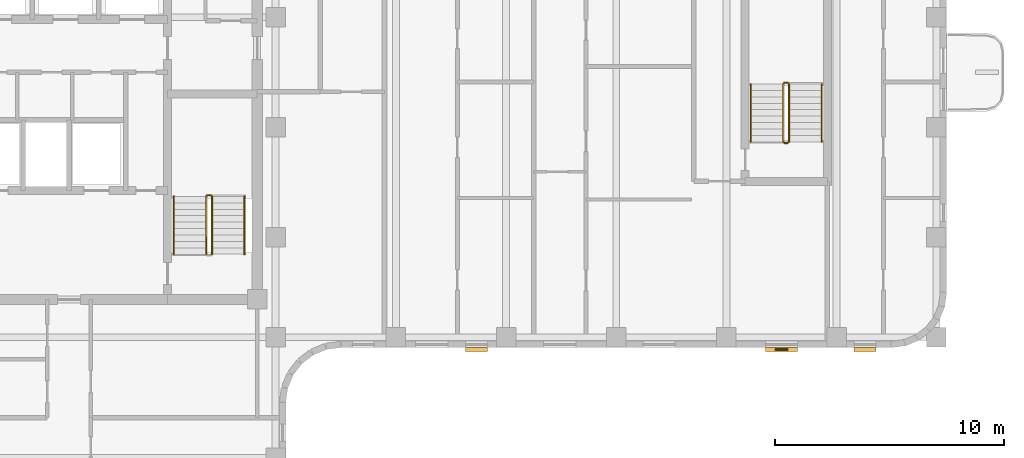
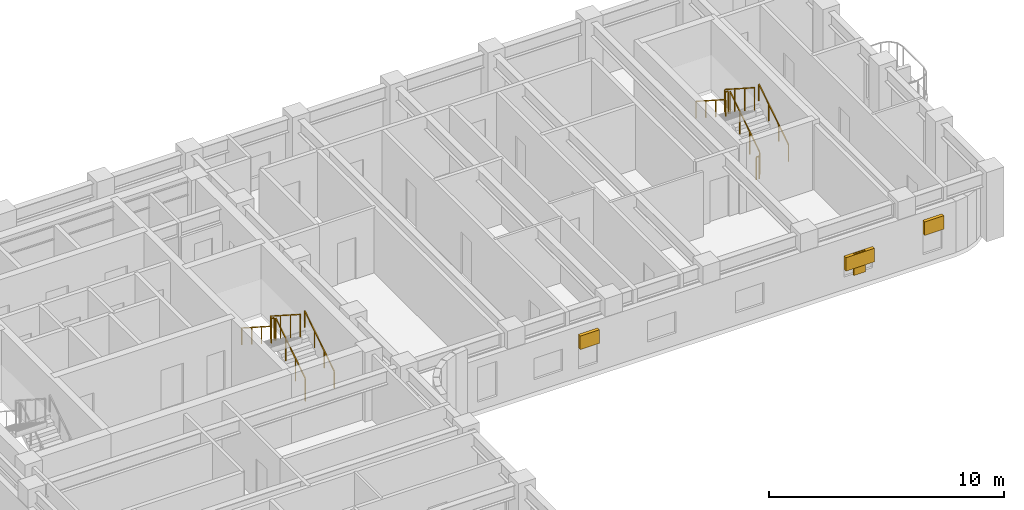
# One storey, part 9 of 10: 11 railings, 4 shading devices.
"""IFC4 building model written with IfcOpenShell, lengths in metres."""

import ifcopenshell
import ifcopenshell.guid

model = None  # the IFC model being written
_history = None  # IfcOwnerHistory: only IFC2X3 demands one
_inside = {}  # id of a spatial element -> (the spatial element, [elements in it])
_under = {}  # id of a project, library or spatial element -> (it, [spatial elements below it])
_declared = {}  # id of a project -> (the project, [libraries it declares])
_typed = {}  # id of a type object -> (the type object, [elements of that type])
_made_of = {}  # id of a material, layer set ... -> (it, [elements and type objects made of it])


def new_model(schema):
    """Start an empty IFC model of exactly this schema.

    Asked for "IFC4X3", IfcOpenShell would pick the latest addendum, in which some entities
    have other attributes; the version numbers below select the first issue.
    IFC2X3 requires an IfcOwnerHistory on every rooted entity: one is made here for all.
    """
    global model, _history
    if schema == "IFC4X3":
        model = ifcopenshell.file(schema_version=(4, 3, 0, 0))
    else:
        model = ifcopenshell.file(schema=schema)
    _inside.clear()
    _under.clear()
    _declared.clear()
    _typed.clear()
    _made_of.clear()
    _history = None
    if model.schema == "IFC2X3":
        org = make("IfcOrganization", Name="unknown")
        user = make(
            "IfcPersonAndOrganization",
            ThePerson=make("IfcPerson", FamilyName="unknown"),
            TheOrganization=org,
        )
        app = make(
            "IfcApplication",
            ApplicationDeveloper=org,
            Version="unknown",
            ApplicationFullName="unknown",
            ApplicationIdentifier="unknown",
        )
        _history = make(
            "IfcOwnerHistory",
            OwningUser=user,
            OwningApplication=app,
            ChangeAction="ADDED",
            CreationDate=0,
        )
    return model


def make(cls, **values):
    """One entity of the class cls with the attributes given. An attribute that is None is left unset."""
    return model.create_entity(
        cls, **{name: value for name, value in values.items() if value is not None}
    )


def rooted(cls, **values):
    """An entity with a GlobalId (a new one), such as an element, a storey or a relation."""
    return make(cls, GlobalId=ifcopenshell.guid.new(), OwnerHistory=_history, **values)


def si_unit(unit_type, name, prefix=None):
    """IfcSIUnit, for example si_unit("LENGTHUNIT", "METRE", prefix="MILLI")."""
    return make("IfcSIUnit", UnitType=unit_type, Prefix=prefix, Name=name)


def assignment(units):
    """IfcUnitAssignment: the units of a project."""
    return None if units is None else make("IfcUnitAssignment", Units=units)


def point(xyz):
    """IfcCartesianPoint."""
    return None if xyz is None else make("IfcCartesianPoint", Coordinates=xyz)


def direction(xyz):
    """IfcDirection."""
    return None if xyz is None else make("IfcDirection", DirectionRatios=xyz)


def frame(location, z_axis=None, x_axis=None):
    """IfcAxis2Placement3D, a coordinate frame: its origin and axes. An axis left out is left unset."""
    return make(
        "IfcAxis2Placement3D",
        Location=point(location),
        Axis=direction(z_axis),
        RefDirection=direction(x_axis),
    )


def frame_2d(location, x_axis=None):
    """IfcAxis2Placement2D, a coordinate frame in the plane: its origin and x axis."""
    return make(
        "IfcAxis2Placement2D", Location=point(location), RefDirection=direction(x_axis)
    )


def origin():
    """The frame at (0, 0, 0) with its axes left unset."""
    return frame((0.0, 0.0, 0.0))


def origin_2d():
    """The frame at (0, 0) in the plane with its x axis left unset."""
    return frame_2d((0.0, 0.0))


def place(relative_to, where):
    """IfcLocalPlacement: puts the frame where relative to a parent placement (None: the world)."""
    return make(
        "IfcLocalPlacement", PlacementRelTo=relative_to, RelativePlacement=where
    )


def context(
    kind, dimensions, precision=None, world=None, true_north=None, identifier=None
):
    """IfcGeometricRepresentationContext, for example the 3D "Model" context."""
    return make(
        "IfcGeometricRepresentationContext",
        ContextIdentifier=identifier,
        ContextType=kind,
        CoordinateSpaceDimension=dimensions,
        Precision=precision,
        WorldCoordinateSystem=world,
        TrueNorth=true_north,
    )


def subcontext(parent, identifier, kind, view, scale=None):
    """IfcGeometricRepresentationSubContext, for example "Body" below "Model"."""
    return make(
        "IfcGeometricRepresentationSubContext",
        ContextIdentifier=identifier,
        ContextType=kind,
        ParentContext=parent,
        TargetScale=scale,
        TargetView=view,
    )


def project(units=None, contexts=None):
    """IfcProject with its units and contexts."""
    return rooted(
        "IfcProject",
        Name="project",
        RepresentationContexts=contexts,
        UnitsInContext=assignment(units),
    )


def spatial(cls, under=None, at=None, **own):
    """A site, building, storey or space (cls), placed at a placement, below another one or the project."""
    s = rooted(cls, ObjectPlacement=at, **own)
    if under is not None:
        _under.setdefault(under.id(), (under, []))[1].append(s)
    return s


def profile(cls, at=None, kind="AREA", **sizes):
    """A parametric profile (cls). Its sizes go by their IFC names, for example OverallWidth=200.0."""
    return make(cls, ProfileType=kind, Position=at, **sizes)


def rectangle(**sizes):
    """IfcRectangleProfileDef."""
    return profile("IfcRectangleProfileDef", **sizes)


def extrude(swept, where, along, depth):
    """IfcExtrudedAreaSolid: the profile swept, set in the frame where, extruded along a direction by depth."""
    return make(
        "IfcExtrudedAreaSolid",
        SweptArea=swept,
        Position=where,
        ExtrudedDirection=direction(along),
        Depth=depth,
    )


def shape(context_of_items, identifier, shape_type, items):
    """IfcShapeRepresentation: the items that make up one representation, for example the "Body"."""
    return make(
        "IfcShapeRepresentation",
        ContextOfItems=context_of_items,
        RepresentationIdentifier=identifier,
        RepresentationType=shape_type,
        Items=items,
    )


def material(Name=None, Category=None):
    """IfcMaterial."""
    return make("IfcMaterial", Name=Name, Category=Category)


def made_of(thing, what):
    """Note that an element or type object is made of a material, layer set ...; save() writes the relation."""
    if what is not None:
        _made_of.setdefault(what.id(), (what, []))[1].append(thing)
    return thing


def type_object(cls, material=None, **own):
    """A type object (cls), such as IfcWallType, which elements share."""
    return made_of(rooted(cls, **own), material)


def element(
    cls,
    number,
    at=None,
    inside=None,
    cuts=None,
    type_object=None,
    material=None,
    context=None,
    identifier="Body",
    shape_type=None,
    held_by="IfcProductDefinitionShape",
    body=None,
    shapes=None,
    **own,
):
    """One element of the class cls, such as IfcWall. Its Tag is "e" and its number.

    at: its placement. inside: the storey or other place that contains it. cuts: it is an
    opening in that element (IfcRelVoidsElement). A single representation is given by context,
    identifier, shape_type and body (its items); several are given by shapes. held_by: the class
    of the entity that holds the representations. save() writes the other relations.
    """
    e = rooted(cls, Tag="e%d" % number, ObjectPlacement=at, **own)
    if body is not None:
        shapes = [shape(context, identifier, shape_type, body)]
    if shapes is not None:
        e.Representation = make(held_by, Representations=shapes)
    if inside is not None:
        _inside.setdefault(inside.id(), (inside, []))[1].append(e)
    if cuts is not None:
        rooted(
            "IfcRelVoidsElement", RelatingBuildingElement=cuts, RelatedOpeningElement=e
        )
    if type_object is not None:
        _typed.setdefault(type_object.id(), (type_object, []))[1].append(e)
    return made_of(e, material)


def aggregate(whole, parts):
    """IfcRelAggregates: a whole, such as a stair, and the parts it consists of."""
    return rooted("IfcRelAggregates", RelatingObject=whole, RelatedObjects=parts)


def save(model, path):
    """Write the relations noted so far, then the file.

    IfcRelAggregates (storeys below a building ...), IfcRelContainedInSpatialStructure (elements
    in a storey), IfcRelDefinesByType, IfcRelAssociatesMaterial and IfcRelDeclares: one each for
    every whole, place, type object, material and project.
    """
    for whole, parts in _under.values():
        aggregate(whole, parts)
    for where, things in _inside.values():
        rooted(
            "IfcRelContainedInSpatialStructure",
            RelatedElements=things,
            RelatingStructure=where,
        )
    for kind, things in _typed.values():
        rooted("IfcRelDefinesByType", RelatedObjects=things, RelatingType=kind)
    for what, things in _made_of.values():
        rooted("IfcRelAssociatesMaterial", RelatedObjects=things, RelatingMaterial=what)
    for by, libraries in _declared.values():
        rooted("IfcRelDeclares", RelatingContext=by, RelatedDefinitions=libraries)
    model.write(path)


model = new_model("IFC4")

# Units and contexts
model_context = context("Model", 3, precision=1e-05, world=origin(), true_north=direction((0.0, 1.0)))
body_context = subcontext(model_context, "Body", "Model", "MODEL_VIEW")
ifc_project = project(units=[si_unit("LENGTHUNIT", "METRE"), si_unit("AREAUNIT", "SQUARE_METRE"), si_unit("VOLUMEUNIT", "CUBIC_METRE"), si_unit("PLANEANGLEUNIT", "RADIAN"), si_unit("MASSUNIT", "GRAM", prefix="KILO")], contexts=[model_context])

# Site, building, storey
site_placement = place(None, origin())
site = spatial("IfcSite", under=ifc_project, at=site_placement, CompositionType="ELEMENT")
building_placement = place(site_placement, origin())
building = spatial("IfcBuilding", under=site, at=building_placement, Name="Orvandelia Arch Residences", CompositionType="ELEMENT")
storey_placement = place(building_placement, frame((0.0, 0.0, 207.39990234375)))
storey = spatial("IfcBuildingStorey", under=building, at=storey_placement, Name="L54", CompositionType="ELEMENT", Elevation=207.39990234375)

# Railings
ifc_material_1 = material(Name="Brushed Stainless Steel 304", Category="steel")
railing_type_1 = type_object("IfcRailingType", Name="RL-STAIR-GD1120", PredefinedType="GUARDRAIL", material=ifc_material_1)
railing_1_placement = place(storey_placement, frame((20.780029296875, 32.8701171875, 0.18017578125)))
element("IfcRailing", 1, at=railing_1_placement, inside=storey, type_object=railing_type_1, Name="L54 ST-2 stair guard 1", PredefinedType="GUARDRAIL", context=body_context, shape_type="SweptSolid", body=[
    extrude(rectangle(XDim=0.048095703125, YDim=0.048095703125, at=origin_2d()), frame((0.0, 0.0, 1.17578125), z_axis=(0.0, 0.841175827307, 0.540761710511), x_axis=(-1.0, 0.0, 0.0)), (0.0, 0.0, 1.0), 2.99560546875),
    extrude(rectangle(XDim=0.0419921875, YDim=0.0419921875, at=origin_2d()), origin(), (0.0, 0.0, 1.0), 1.15185546875),
    extrude(rectangle(XDim=0.0419921875, YDim=0.0419921875, at=origin_2d()), frame((0.0, 0.83984375, 0.5400390625)), (0.0, 0.0, 1.0), 1.15185546875),
    extrude(rectangle(XDim=0.0419921875, YDim=0.0419921875, at=origin_2d()), frame((0.0, 1.679931640625, 1.079833984375)), (0.0, 0.0, 1.0), 1.15185546875),
    extrude(rectangle(XDim=0.0419921875, YDim=0.0419921875, at=origin_2d()), frame((0.0, 2.519775390625, 1.619873046875)), (0.0, 0.0, 1.0), 1.15185546875),
])
railing_2_placement = place(storey_placement, frame((20.72998046875, 35.43994140625, 1.800048828125)))
element("IfcRailing", 2, at=railing_2_placement, inside=storey, type_object=railing_type_1, Name="L54 ST-2 stair guard 2", PredefinedType="GUARDRAIL", context=body_context, shape_type="SweptSolid", body=[
    extrude(rectangle(XDim=0.048095703125, YDim=0.048095703125, at=origin_2d()), frame((0.0, 0.0, 1.17578125), z_axis=(-1.0, 0.0, 0.0), x_axis=(0.0, -1.0, 0.0)), (0.0, 0.0, 1.0), 0.14990234375),
    extrude(rectangle(XDim=0.0419921875, YDim=0.0419921875, at=origin_2d()), origin(), (0.0, 0.0, 1.0), 1.15185546875),
    extrude(rectangle(XDim=0.0419921875, YDim=0.0419921875, at=origin_2d()), frame((-0.14990234375, 0.0, 0.0)), (0.0, 0.0, 1.0), 1.15185546875),
])
railing_3_placement = place(storey_placement, frame((20.530029296875, 35.389892578125, 1.97998046875)))
element("IfcRailing", 3, at=railing_3_placement, inside=storey, type_object=railing_type_1, Name="L54 ST-2 stair guard 3", PredefinedType="GUARDRAIL", context=body_context, shape_type="SweptSolid", body=[
    extrude(rectangle(XDim=0.048095703125, YDim=0.048095703125, at=origin_2d()), frame((0.0, 0.0, 1.17578125), z_axis=(0.0, -0.841138753965, 0.540819375188), x_axis=(1.0, 0.0, 0.0)), (0.0, 0.0, 1.0), 2.99560546875),
    extrude(rectangle(XDim=0.0419921875, YDim=0.0419921875, at=origin_2d()), origin(), (0.0, 0.0, 1.0), 1.15185546875),
    extrude(rectangle(XDim=0.0419921875, YDim=0.0419921875, at=origin_2d()), frame((0.0, -0.83984375, 0.5400390625)), (0.0, 0.0, 1.0), 1.15185546875),
    extrude(rectangle(XDim=0.0419921875, YDim=0.0419921875, at=origin_2d()), frame((0.0, -1.679931640625, 1.080078125)), (0.0, 0.0, 1.0), 1.15185546875),
    extrude(rectangle(XDim=0.0419921875, YDim=0.0419921875, at=origin_2d()), frame((0.0, -2.519775390625, 1.6201171875)), (0.0, 0.0, 1.0), 1.15185546875),
])
railing_4_placement = place(storey_placement, frame((45.929931640625, 37.77001953125, 0.18017578125)))
element("IfcRailing", 4, at=railing_4_placement, inside=storey, type_object=railing_type_1, Name="L54 ST-3 stair guard 1", PredefinedType="GUARDRAIL", context=body_context, shape_type="SweptSolid", body=[
    extrude(rectangle(XDim=0.048095703125, YDim=0.048095703125, at=origin_2d()), frame((0.0, 0.0, 1.17578125), z_axis=(0.0, 0.841199657755, 0.540724639528), x_axis=(-1.0, 0.0, 0.0)), (0.0, 0.0, 1.0), 2.995849609375),
    extrude(rectangle(XDim=0.0419921875, YDim=0.0419921875, at=origin_2d()), origin(), (0.0, 0.0, 1.0), 1.15185546875),
    extrude(rectangle(XDim=0.0419921875, YDim=0.0419921875, at=origin_2d()), frame((0.0, 0.840087890625, 0.5400390625)), (0.0, 0.0, 1.0), 1.15185546875),
    extrude(rectangle(XDim=0.0419921875, YDim=0.0419921875, at=origin_2d()), frame((0.0, 1.679931640625, 1.079833984375)), (0.0, 0.0, 1.0), 1.15185546875),
    extrude(rectangle(XDim=0.0419921875, YDim=0.0419921875, at=origin_2d()), frame((0.0, 2.52001953125, 1.619873046875)), (0.0, 0.0, 1.0), 1.15185546875),
])
railing_5_placement = place(storey_placement, frame((45.8798828125, 40.340087890625, 1.800048828125)))
element("IfcRailing", 5, at=railing_5_placement, inside=storey, type_object=railing_type_1, Name="L54 ST-3 stair guard 2", PredefinedType="GUARDRAIL", context=body_context, shape_type="SweptSolid", body=[
    extrude(rectangle(XDim=0.048095703125, YDim=0.048095703125, at=origin_2d()), frame((0.0, 0.0, 1.17578125), z_axis=(-1.0, 0.0, 0.0), x_axis=(0.0, -1.0, 0.0)), (0.0, 0.0, 1.0), 0.14990234375),
    extrude(rectangle(XDim=0.0419921875, YDim=0.0419921875, at=origin_2d()), origin(), (0.0, 0.0, 1.0), 1.15185546875),
    extrude(rectangle(XDim=0.0419921875, YDim=0.0419921875, at=origin_2d()), frame((-0.14990234375, 0.0, 0.0)), (0.0, 0.0, 1.0), 1.15185546875),
])
railing_6_placement = place(storey_placement, frame((45.679931640625, 40.2900390625, 1.97998046875)))
element("IfcRailing", 6, at=railing_6_placement, inside=storey, type_object=railing_type_1, Name="L54 ST-3 stair guard 3", PredefinedType="GUARDRAIL", context=body_context, shape_type="SweptSolid", body=[
    extrude(rectangle(XDim=0.048095703125, YDim=0.048095703125, at=origin_2d()), frame((0.0, 0.0, 1.17578125), z_axis=(0.0, -0.841162588446, 0.540782303519), x_axis=(1.0, 0.0, 0.0)), (0.0, 0.0, 1.0), 2.995849609375),
    extrude(rectangle(XDim=0.0419921875, YDim=0.0419921875, at=origin_2d()), origin(), (0.0, 0.0, 1.0), 1.15185546875),
    extrude(rectangle(XDim=0.0419921875, YDim=0.0419921875, at=origin_2d()), frame((0.0, -0.840087890625, 0.5400390625)), (0.0, 0.0, 1.0), 1.15185546875),
    extrude(rectangle(XDim=0.0419921875, YDim=0.0419921875, at=origin_2d()), frame((0.0, -1.679931640625, 1.080078125)), (0.0, 0.0, 1.0), 1.15185546875),
    extrude(rectangle(XDim=0.0419921875, YDim=0.0419921875, at=origin_2d()), frame((0.0, -2.52001953125, 1.6201171875)), (0.0, 0.0, 1.0), 1.15185546875),
])
railing_7_placement = place(storey_placement, frame((45.8798828125, 37.719970703125, 0.0)))
element("IfcRailing", 7, at=railing_7_placement, inside=storey, type_object=railing_type_1, Name="L54 ST-3 stair guard 4", PredefinedType="GUARDRAIL", context=body_context, shape_type="SweptSolid", body=[
    extrude(rectangle(XDim=0.048095703125, YDim=0.048095703125, at=origin_2d()), frame((0.0, 0.0, 1.17578125), z_axis=(-1.0, 0.0, 0.0), x_axis=(0.0, -1.0, 0.0)), (0.0, 0.0, 1.0), 0.14990234375),
    extrude(rectangle(XDim=0.0419921875, YDim=0.0419921875, at=origin_2d()), origin(), (0.0, 0.0, 1.0), 1.15185546875),
    extrude(rectangle(XDim=0.0419921875, YDim=0.0419921875, at=origin_2d()), frame((-0.14990234375, 0.0, 0.0)), (0.0, 0.0, 1.0), 1.15185546875),
])
railing_type_2 = type_object("IfcRailingType", Name="RL-STAIR-HR920", PredefinedType="HANDRAIL", material=ifc_material_1)
railing_8_placement = place(storey_placement, frame((22.199951171875, 32.8701171875, 0.360107421875)))
element("IfcRailing", 8, at=railing_8_placement, inside=storey, type_object=railing_type_2, Name="L54 ST-2 stair handrail 1", PredefinedType="HANDRAIL", context=body_context, shape_type="SweptSolid", body=[
    extrude(rectangle(XDim=0.048095703125, YDim=0.048095703125, at=origin_2d()), frame((0.0, 0.0, 0.8759765625), z_axis=(0.0, 0.841175827307, 0.540761710511), x_axis=(-1.0, 0.0, 0.0)), (0.0, 0.0, 1.0), 2.99560546875),
    extrude(rectangle(XDim=0.0419921875, YDim=0.0419921875, at=origin_2d()), origin(), (0.0, 0.0, 1.0), 0.851806640625),
    extrude(rectangle(XDim=0.0419921875, YDim=0.0419921875, at=origin_2d()), frame((0.0, 0.83984375, 0.5400390625)), (0.0, 0.0, 1.0), 0.851806640625),
    extrude(rectangle(XDim=0.0419921875, YDim=0.0419921875, at=origin_2d()), frame((0.0, 1.679931640625, 1.079833984375)), (0.0, 0.0, 1.0), 0.851806640625),
    extrude(rectangle(XDim=0.0419921875, YDim=0.0419921875, at=origin_2d()), frame((0.0, 2.519775390625, 1.619873046875)), (0.0, 0.0, 1.0), 0.851806640625),
])
railing_9_placement = place(storey_placement, frame((19.110107421875, 35.389892578125, 2.16015625)))
element("IfcRailing", 9, at=railing_9_placement, inside=storey, type_object=railing_type_2, Name="L54 ST-2 stair handrail 2", PredefinedType="HANDRAIL", context=body_context, shape_type="SweptSolid", body=[
    extrude(rectangle(XDim=0.048095703125, YDim=0.048095703125, at=origin_2d()), frame((0.0, 0.0, 0.8759765625), z_axis=(0.0, -0.841175827307, 0.540761710511), x_axis=(1.0, 0.0, 0.0)), (0.0, 0.0, 1.0), 2.99560546875),
    extrude(rectangle(XDim=0.0419921875, YDim=0.0419921875, at=origin_2d()), origin(), (0.0, 0.0, 1.0), 0.851806640625),
    extrude(rectangle(XDim=0.0419921875, YDim=0.0419921875, at=origin_2d()), frame((0.0, -0.83984375, 0.5400390625)), (0.0, 0.0, 1.0), 0.851806640625),
    extrude(rectangle(XDim=0.0419921875, YDim=0.0419921875, at=origin_2d()), frame((0.0, -1.679931640625, 1.079833984375)), (0.0, 0.0, 1.0), 0.851806640625),
    extrude(rectangle(XDim=0.0419921875, YDim=0.0419921875, at=origin_2d()), frame((0.0, -2.519775390625, 1.619873046875)), (0.0, 0.0, 1.0), 0.851806640625),
])
railing_10_placement = place(storey_placement, frame((47.35009765625, 37.77001953125, 0.360107421875)))
element("IfcRailing", 10, at=railing_10_placement, inside=storey, type_object=railing_type_2, Name="L54 ST-3 stair handrail 1", PredefinedType="HANDRAIL", context=body_context, shape_type="SweptSolid", body=[
    extrude(rectangle(XDim=0.048095703125, YDim=0.048095703125, at=origin_2d()), frame((0.0, 0.0, 0.8759765625), z_axis=(0.0, 0.841199657755, 0.540724639528), x_axis=(-1.0, 0.0, 0.0)), (0.0, 0.0, 1.0), 2.995849609375),
    extrude(rectangle(XDim=0.0419921875, YDim=0.0419921875, at=origin_2d()), origin(), (0.0, 0.0, 1.0), 0.851806640625),
    extrude(rectangle(XDim=0.0419921875, YDim=0.0419921875, at=origin_2d()), frame((0.0, 0.840087890625, 0.5400390625)), (0.0, 0.0, 1.0), 0.851806640625),
    extrude(rectangle(XDim=0.0419921875, YDim=0.0419921875, at=origin_2d()), frame((0.0, 1.679931640625, 1.079833984375)), (0.0, 0.0, 1.0), 0.851806640625),
    extrude(rectangle(XDim=0.0419921875, YDim=0.0419921875, at=origin_2d()), frame((0.0, 2.52001953125, 1.619873046875)), (0.0, 0.0, 1.0), 0.851806640625),
])
railing_11_placement = place(storey_placement, frame((44.260009765625, 40.2900390625, 2.16015625)))
element("IfcRailing", 11, at=railing_11_placement, inside=storey, type_object=railing_type_2, Name="L54 ST-3 stair handrail 2", PredefinedType="HANDRAIL", context=body_context, shape_type="SweptSolid", body=[
    extrude(rectangle(XDim=0.048095703125, YDim=0.048095703125, at=origin_2d()), frame((0.0, 0.0, 0.8759765625), z_axis=(0.0, -0.841199657755, 0.540724639528), x_axis=(1.0, 0.0, 0.0)), (0.0, 0.0, 1.0), 2.995849609375),
    extrude(rectangle(XDim=0.0419921875, YDim=0.0419921875, at=origin_2d()), origin(), (0.0, 0.0, 1.0), 0.851806640625),
    extrude(rectangle(XDim=0.0419921875, YDim=0.0419921875, at=origin_2d()), frame((0.0, -0.840087890625, 0.5400390625)), (0.0, 0.0, 1.0), 0.851806640625),
    extrude(rectangle(XDim=0.0419921875, YDim=0.0419921875, at=origin_2d()), frame((0.0, -1.679931640625, 1.079833984375)), (0.0, 0.0, 1.0), 0.851806640625),
    extrude(rectangle(XDim=0.0419921875, YDim=0.0419921875, at=origin_2d()), frame((0.0, -2.52001953125, 1.619873046875)), (0.0, 0.0, 1.0), 0.851806640625),
])

# Shading devices
ifc_material_2 = material(Name="Anodised Champagne-Bronze Extruded Aluminium", Category="aluminium")
shading_device_type_1 = type_object("IfcShadingDeviceType", Name="SHD-JALOUSIE-SCREEN", PredefinedType="JALOUSIE", material=ifc_material_2)
shading_device_1_placement = place(storey_placement, frame((32.31494140625, 28.719970703125, 1.55029296875), z_axis=(0.0, 0.0, 1.0), x_axis=(-1.0, 0.0, 0.0)))
element("IfcShadingDevice", 12, at=shading_device_1_placement, inside=storey, type_object=shading_device_type_1, Name="Bronze Jalousie Sun-Shade L54-002", PredefinedType="JALOUSIE", context=body_context, shape_type="SweptSolid", body=[
    extrude(rectangle(XDim=0.949951171875, YDim=0.159912109375, at=origin_2d()), origin(), (0.0, 0.0, 1.0), 0.699951171875),
])
shading_device_2_placement = place(storey_placement, frame((45.60009765625, 28.719970703125, 1.05029296875), z_axis=(0.0, 0.0, 1.0), x_axis=(-1.0, 0.0, 0.0)))
element("IfcShadingDevice", 13, at=shading_device_2_placement, inside=storey, type_object=shading_device_type_1, Name="Bronze Jalousie Sun-Shade L54-003", PredefinedType="JALOUSIE", context=body_context, shape_type="SweptSolid", body=[
    extrude(rectangle(XDim=1.39990234375, YDim=0.159912109375, at=origin_2d()), origin(), (0.0, 0.0, 1.0), 0.699951171875),
])
shading_device_3_placement = place(storey_placement, frame((49.243896484375, 28.719970703125, 1.55029296875), z_axis=(0.0, 0.0, 1.0), x_axis=(-1.0, 0.0, 0.0)))
element("IfcShadingDevice", 14, at=shading_device_3_placement, inside=storey, type_object=shading_device_type_1, Name="Bronze Jalousie Sun-Shade L54-004", PredefinedType="JALOUSIE", context=body_context, shape_type="SweptSolid", body=[
    extrude(rectangle(XDim=0.949951171875, YDim=0.159912109375, at=origin_2d()), origin(), (0.0, 0.0, 1.0), 0.699951171875),
])
ifc_material_3 = material(Name="Marine-Grade Perforated Aluminium Storm Shutter", Category="aluminium")
shading_device_type_2 = type_object("IfcShadingDeviceType", Name="SHD-STORM-SHUTTER", PredefinedType="SHUTTER", material=ifc_material_3)
shading_device_4_placement = place(storey_placement, frame((45.60009765625, 28.719970703125, 0.650146484375), z_axis=(0.0, 0.0, 1.0), x_axis=(-1.0, 0.0, 0.0)))
element("IfcShadingDevice", 15, at=shading_device_4_placement, inside=storey, type_object=shading_device_type_2, Name="Operable Typhoon Storm Shutter L54-003", PredefinedType="SHUTTER", context=body_context, shape_type="SweptSolid", body=[
    extrude(rectangle(XDim=0.550048828125, YDim=0.080078125, at=origin_2d()), origin(), (0.0, 0.0, 1.0), 1.10009765625),
])

save(model, "model.ifc")
